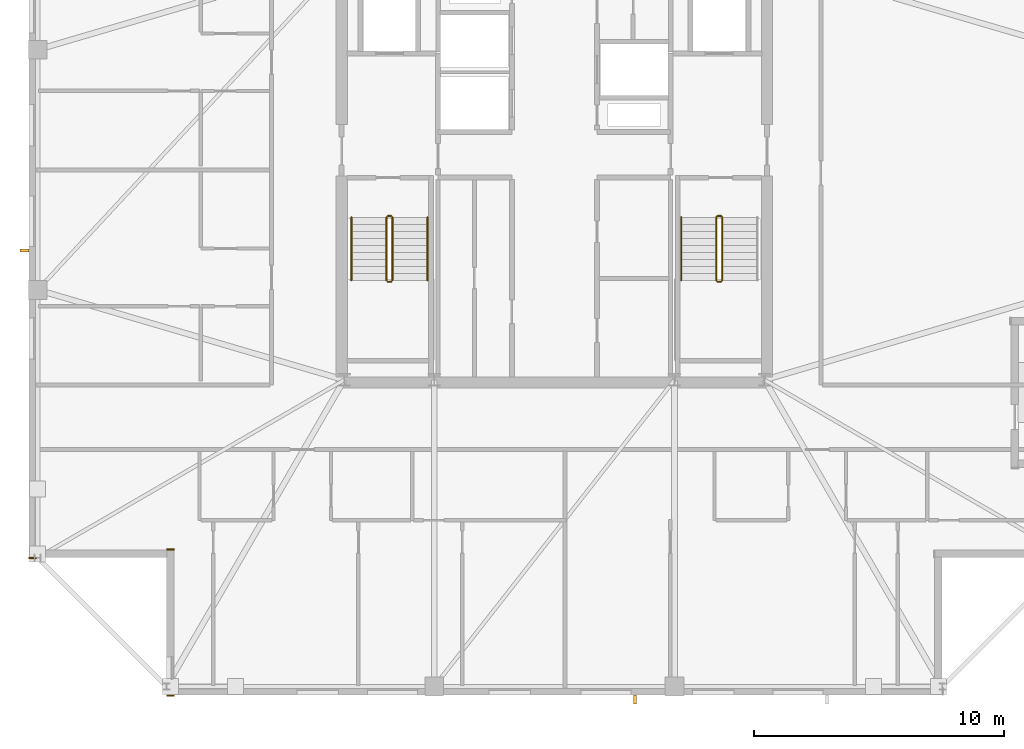
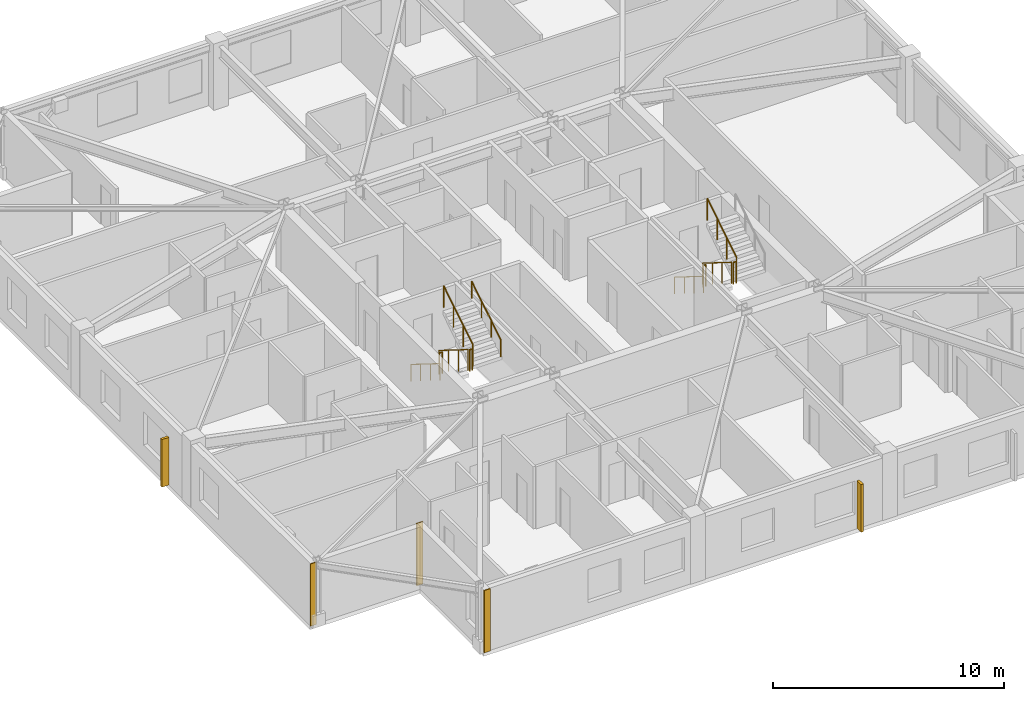
# One storey, part 12 of 14: 11 railings, 3 coverings, 2 shading devices.
"""IFC4 building model written with IfcOpenShell, lengths in metres."""

from ifc_helpers import new_model, si_unit, direction, frame, frame_2d, origin, origin_2d, place, context, subcontext, project, spatial, rectangle, circle, extrude, material, layer, layer_set, type_object, element, save


model = new_model("IFC4")

# Units and contexts
model_context = context("Model", 3, precision=1e-05, world=origin(), true_north=direction((0.0, 1.0)))
body_context = subcontext(model_context, "Body", "Model", "MODEL_VIEW")
ifc_project = project(units=[si_unit("LENGTHUNIT", "METRE"), si_unit("AREAUNIT", "SQUARE_METRE"), si_unit("VOLUMEUNIT", "CUBIC_METRE"), si_unit("PLANEANGLEUNIT", "RADIAN"), si_unit("MASSUNIT", "GRAM", prefix="KILO")], contexts=[model_context])

# Site, building, storey
site_placement = place(None, origin())
site = spatial("IfcSite", under=ifc_project, at=site_placement, CompositionType="ELEMENT")
building_placement = place(site_placement, origin())
building = spatial("IfcBuilding", under=site, at=building_placement, Name="Cairnveth Concourse Tower", CompositionType="ELEMENT")
storey_placement = place(building_placement, frame((0.0, 0.0, 294.5)))
storey = spatial("IfcBuildingStorey", under=building, at=storey_placement, Name="L81", CompositionType="ELEMENT", Elevation=294.5)

# Coverings
ifc_material_1 = material(Name="Dressed Melbourne Bluestone Cladding", Category="masonry")
ifc_layer = layer(ifc_material_1, 0.050048828125)
ifc_layer_set = layer_set([ifc_layer], Name="Dressed Melbourne Bluestone Cladding")
covering_type = type_object("IfcCoveringType", Name="DRESSED BLUESTONE PLINTH CLADDING 50", PredefinedType="CLADDING", material=ifc_layer_set)
for number, where, z_axis, x_axis, name in (
    (1, (36.800048828125, 17.97998046875, 0.0), (0.0, 0.0, 1.0), (-1.0, 0.0, 0.0), "Melbourne Bluestone Corner Quoin L81-1231"),
    (2, (36.800048828125, 23.820068359375, 0.0), (0.0, 0.0, 1.0), (-1.0, 0.0, 0.0), "Melbourne Bluestone Corner Quoin L81-1232"),
    (3, (31.300048828125, 23.47998046875, 0.0), (0.0, 0.0, 1.0), (-1.0, 0.0, 0.0), "Melbourne Bluestone Corner Quoin L81-1233"),
):
    element("IfcCovering", number, at=place(storey_placement, frame(where, z_axis=z_axis, x_axis=x_axis)), inside=storey, type_object=covering_type, Name=name, PredefinedType="CLADDING", context=body_context, shape_type="SweptSolid", body=[
        extrude(rectangle(XDim=0.300048828125, YDim=0.050048828125, at=frame_2d((0.14990234375, 0.0))), origin(), (0.0, 0.0, 1.0), 3.2900390625),
    ])

# Shading devices
ifc_material_2 = material(Name="Architectural Bronze Anodised Aluminium 6063-T6", Category="aluminium")
shading_device_type = type_object("IfcShadingDeviceType", Name="GOTHIC BRONZE VERTICAL LANCET FIN", PredefinedType="USERDEFINED", material=ifc_material_2)
for number, where, z_axis, x_axis, name in (
    (4, (55.217529296875, 17.824951171875, 0.030029296875), (0.0, 0.0, 1.0), (1.0, 0.0, 0.0), "Gothic Bronze Vertical Fin L81-3-3"),
    (5, (30.824951171875, 35.782470703125, 0.030029296875), (0.0, 0.0, 1.0), (0.0, 1.0, 0.0), "Gothic Bronze Vertical Fin L81-6-3"),
):
    element("IfcShadingDevice", number, at=place(storey_placement, frame(where, z_axis=z_axis, x_axis=x_axis)), inside=storey, type_object=shading_device_type, Name=name, ObjectType="VERTICAL FIN", PredefinedType="USERDEFINED", context=body_context, shape_type="SweptSolid", body=[
        extrude(rectangle(XDim=0.1201171875, YDim=0.360107421875, at=origin_2d()), origin(), (0.0, 0.0, 1.0), 2.51806640625),
    ])

# Railings
ifc_material_3 = material(Name="Steel Grade 350", Category="steel")
railing_type_1 = type_object("IfcRailingType", Name="STAIR GUARDRAIL 1150", PredefinedType="GUARDRAIL", material=ifc_material_3)
railing_1_placement = place(storey_placement, frame((45.2900390625, 37.10009765625, 0.175048828125)))
element("IfcRailing", 6, at=railing_1_placement, inside=storey, type_object=railing_type_1, Name="L81 ST-1 stair guard 1", PredefinedType="GUARDRAIL", context=body_context, shape_type="SweptSolid", body=[
    extrude(circle(Radius=0.02392578125, at=origin_2d()), frame((0.0, 0.0, 1.1259765625), z_axis=(0.0, -0.848007534815, 0.529984170421), x_axis=(1.0, 0.0, 0.0)), (0.0, 0.0, 1.0), 2.9716796875),
    extrude(circle(Radius=0.02099609375, at=origin_2d()), origin(), (0.0, 0.0, 1.0), 1.101806640625),
    extrude(circle(Radius=0.02099609375, at=origin_2d()), frame((0.0, -0.840087890625, 0.52490234375)), (0.0, 0.0, 1.0), 1.101806640625),
    extrude(circle(Radius=0.02099609375, at=origin_2d()), frame((0.0, -1.679931640625, 1.050048828125)), (0.0, 0.0, 1.0), 1.101806640625),
    extrude(circle(Radius=0.02099609375, at=origin_2d()), frame((0.0, -2.52001953125, 1.574951171875)), (0.0, 0.0, 1.0), 1.101806640625),
])
railing_2_placement = place(storey_placement, frame((45.340087890625, 34.530029296875, 1.75)))
element("IfcRailing", 7, at=railing_2_placement, inside=storey, type_object=railing_type_1, Name="L81 ST-1 stair guard 2", PredefinedType="GUARDRAIL", context=body_context, shape_type="SweptSolid", body=[
    extrude(circle(Radius=0.02392578125, at=origin_2d()), frame((0.0, 0.0, 1.1259765625), z_axis=(1.0, 0.0, 0.0), x_axis=(0.0, 1.0, 0.0)), (0.0, 0.0, 1.0), 0.139892578125),
    extrude(circle(Radius=0.02099609375, at=origin_2d()), origin(), (0.0, 0.0, 1.0), 1.101806640625),
    extrude(circle(Radius=0.02099609375, at=origin_2d()), frame((0.139892578125, 0.0, 0.0)), (0.0, 0.0, 1.0), 1.101806640625),
])
railing_3_placement = place(storey_placement, frame((45.530029296875, 34.580078125, 1.925048828125)))
element("IfcRailing", 8, at=railing_3_placement, inside=storey, type_object=railing_type_1, Name="L81 ST-1 stair guard 3", PredefinedType="GUARDRAIL", context=body_context, shape_type="SweptSolid", body=[
    extrude(circle(Radius=0.02392578125, at=origin_2d()), frame((0.0, 0.0, 1.1259765625), z_axis=(0.0, 0.848007534815, 0.529984170421), x_axis=(-1.0, 0.0, 0.0)), (0.0, 0.0, 1.0), 2.9716796875),
    extrude(circle(Radius=0.02099609375, at=origin_2d()), origin(), (0.0, 0.0, 1.0), 1.101806640625),
    extrude(circle(Radius=0.02099609375, at=origin_2d()), frame((0.0, 0.840087890625, 0.52490234375)), (0.0, 0.0, 1.0), 1.101806640625),
    extrude(circle(Radius=0.02099609375, at=origin_2d()), frame((0.0, 1.679931640625, 1.050048828125)), (0.0, 0.0, 1.0), 1.101806640625),
    extrude(circle(Radius=0.02099609375, at=origin_2d()), frame((0.0, 2.52001953125, 1.574951171875)), (0.0, 0.0, 1.0), 1.101806640625),
])
railing_4_placement = place(storey_placement, frame((45.340087890625, 37.14990234375, 0.0)))
element("IfcRailing", 9, at=railing_4_placement, inside=storey, type_object=railing_type_1, Name="L81 ST-1 stair guard 4", PredefinedType="GUARDRAIL", context=body_context, shape_type="SweptSolid", body=[
    extrude(circle(Radius=0.02392578125, at=origin_2d()), frame((0.0, 0.0, 1.1259765625), z_axis=(1.0, 0.0, 0.0), x_axis=(0.0, 1.0, 0.0)), (0.0, 0.0, 1.0), 0.139892578125),
    extrude(circle(Radius=0.02099609375, at=origin_2d()), origin(), (0.0, 0.0, 1.0), 1.101806640625),
    extrude(circle(Radius=0.02099609375, at=origin_2d()), frame((0.139892578125, 0.0, 0.0)), (0.0, 0.0, 1.0), 1.101806640625),
])
railing_5_placement = place(storey_placement, frame((58.469970703125, 37.10009765625, 0.175048828125)))
element("IfcRailing", 10, at=railing_5_placement, inside=storey, type_object=railing_type_1, Name="L81 ST-2 stair guard 1", PredefinedType="GUARDRAIL", context=body_context, shape_type="SweptSolid", body=[
    extrude(circle(Radius=0.02392578125, at=origin_2d()), frame((0.0, 0.0, 1.1259765625), z_axis=(0.0, -0.848007534815, 0.529984170421), x_axis=(1.0, 0.0, 0.0)), (0.0, 0.0, 1.0), 2.9716796875),
    extrude(circle(Radius=0.02099609375, at=origin_2d()), origin(), (0.0, 0.0, 1.0), 1.101806640625),
    extrude(circle(Radius=0.02099609375, at=origin_2d()), frame((0.0, -0.840087890625, 0.52490234375)), (0.0, 0.0, 1.0), 1.101806640625),
    extrude(circle(Radius=0.02099609375, at=origin_2d()), frame((0.0, -1.679931640625, 1.050048828125)), (0.0, 0.0, 1.0), 1.101806640625),
    extrude(circle(Radius=0.02099609375, at=origin_2d()), frame((0.0, -2.52001953125, 1.574951171875)), (0.0, 0.0, 1.0), 1.101806640625),
])
railing_6_placement = place(storey_placement, frame((58.52001953125, 34.530029296875, 1.75)))
element("IfcRailing", 11, at=railing_6_placement, inside=storey, type_object=railing_type_1, Name="L81 ST-2 stair guard 2", PredefinedType="GUARDRAIL", context=body_context, shape_type="SweptSolid", body=[
    extrude(circle(Radius=0.02392578125, at=origin_2d()), frame((0.0, 0.0, 1.1259765625), z_axis=(1.0, 0.0, 0.0), x_axis=(0.0, 1.0, 0.0)), (0.0, 0.0, 1.0), 0.139892578125),
    extrude(circle(Radius=0.02099609375, at=origin_2d()), origin(), (0.0, 0.0, 1.0), 1.101806640625),
    extrude(circle(Radius=0.02099609375, at=origin_2d()), frame((0.139892578125, 0.0, 0.0)), (0.0, 0.0, 1.0), 1.101806640625),
])
railing_7_placement = place(storey_placement, frame((58.7099609375, 34.580078125, 1.925048828125)))
element("IfcRailing", 12, at=railing_7_placement, inside=storey, type_object=railing_type_1, Name="L81 ST-2 stair guard 3", PredefinedType="GUARDRAIL", context=body_context, shape_type="SweptSolid", body=[
    extrude(circle(Radius=0.02392578125, at=origin_2d()), frame((0.0, 0.0, 1.1259765625), z_axis=(0.0, 0.848007534815, 0.529984170421), x_axis=(-1.0, 0.0, 0.0)), (0.0, 0.0, 1.0), 2.9716796875),
    extrude(circle(Radius=0.02099609375, at=origin_2d()), origin(), (0.0, 0.0, 1.0), 1.101806640625),
    extrude(circle(Radius=0.02099609375, at=origin_2d()), frame((0.0, 0.840087890625, 0.52490234375)), (0.0, 0.0, 1.0), 1.101806640625),
    extrude(circle(Radius=0.02099609375, at=origin_2d()), frame((0.0, 1.679931640625, 1.050048828125)), (0.0, 0.0, 1.0), 1.101806640625),
    extrude(circle(Radius=0.02099609375, at=origin_2d()), frame((0.0, 2.52001953125, 1.574951171875)), (0.0, 0.0, 1.0), 1.101806640625),
])
railing_8_placement = place(storey_placement, frame((58.52001953125, 37.14990234375, 0.0)))
element("IfcRailing", 13, at=railing_8_placement, inside=storey, type_object=railing_type_1, Name="L81 ST-2 stair guard 4", PredefinedType="GUARDRAIL", context=body_context, shape_type="SweptSolid", body=[
    extrude(circle(Radius=0.02392578125, at=origin_2d()), frame((0.0, 0.0, 1.1259765625), z_axis=(1.0, 0.0, 0.0), x_axis=(0.0, 1.0, 0.0)), (0.0, 0.0, 1.0), 0.139892578125),
    extrude(circle(Radius=0.02099609375, at=origin_2d()), origin(), (0.0, 0.0, 1.0), 1.101806640625),
    extrude(circle(Radius=0.02099609375, at=origin_2d()), frame((0.139892578125, 0.0, 0.0)), (0.0, 0.0, 1.0), 1.101806640625),
])
railing_type_2 = type_object("IfcRailingType", Name="STAIR WALL HANDRAIL 900", PredefinedType="HANDRAIL", material=ifc_material_3)
railing_9_placement = place(storey_placement, frame((43.889892578125, 37.10009765625, 0.175048828125)))
element("IfcRailing", 14, at=railing_9_placement, inside=storey, type_object=railing_type_2, Name="L81 ST-1 stair handrail 1", PredefinedType="HANDRAIL", context=body_context, shape_type="SweptSolid", body=[
    extrude(circle(Radius=0.02392578125, at=origin_2d()), frame((0.0, 0.0, 0.8759765625), z_axis=(0.0, -0.848007534815, 0.529984170421), x_axis=(1.0, 0.0, 0.0)), (0.0, 0.0, 1.0), 2.9716796875),
    extrude(circle(Radius=0.02099609375, at=origin_2d()), origin(), (0.0, 0.0, 1.0), 0.851806640625),
    extrude(circle(Radius=0.02099609375, at=origin_2d()), frame((0.0, -0.840087890625, 0.52490234375)), (0.0, 0.0, 1.0), 0.851806640625),
    extrude(circle(Radius=0.02099609375, at=origin_2d()), frame((0.0, -1.679931640625, 1.050048828125)), (0.0, 0.0, 1.0), 0.851806640625),
    extrude(circle(Radius=0.02099609375, at=origin_2d()), frame((0.0, -2.52001953125, 1.574951171875)), (0.0, 0.0, 1.0), 0.851806640625),
])
railing_10_placement = place(storey_placement, frame((46.929931640625, 34.580078125, 1.925048828125)))
element("IfcRailing", 15, at=railing_10_placement, inside=storey, type_object=railing_type_2, Name="L81 ST-1 stair handrail 2", PredefinedType="HANDRAIL", context=body_context, shape_type="SweptSolid", body=[
    extrude(circle(Radius=0.02392578125, at=origin_2d()), frame((0.0, 0.0, 0.8759765625), z_axis=(0.0, 0.848007534815, 0.529984170421), x_axis=(-1.0, 0.0, 0.0)), (0.0, 0.0, 1.0), 2.9716796875),
    extrude(circle(Radius=0.02099609375, at=origin_2d()), origin(), (0.0, 0.0, 1.0), 0.851806640625),
    extrude(circle(Radius=0.02099609375, at=origin_2d()), frame((0.0, 0.840087890625, 0.52490234375)), (0.0, 0.0, 1.0), 0.851806640625),
    extrude(circle(Radius=0.02099609375, at=origin_2d()), frame((0.0, 1.679931640625, 1.050048828125)), (0.0, 0.0, 1.0), 0.851806640625),
    extrude(circle(Radius=0.02099609375, at=origin_2d()), frame((0.0, 2.52001953125, 1.574951171875)), (0.0, 0.0, 1.0), 0.851806640625),
])
railing_11_placement = place(storey_placement, frame((57.070068359375, 37.10009765625, 0.175048828125)))
element("IfcRailing", 16, at=railing_11_placement, inside=storey, type_object=railing_type_2, Name="L81 ST-2 stair handrail 1", PredefinedType="HANDRAIL", context=body_context, shape_type="SweptSolid", body=[
    extrude(circle(Radius=0.02392578125, at=origin_2d()), frame((0.0, 0.0, 0.8759765625), z_axis=(0.0, -0.848007534815, 0.529984170421), x_axis=(1.0, 0.0, 0.0)), (0.0, 0.0, 1.0), 2.9716796875),
    extrude(circle(Radius=0.02099609375, at=origin_2d()), origin(), (0.0, 0.0, 1.0), 0.851806640625),
    extrude(circle(Radius=0.02099609375, at=origin_2d()), frame((0.0, -0.840087890625, 0.52490234375)), (0.0, 0.0, 1.0), 0.851806640625),
    extrude(circle(Radius=0.02099609375, at=origin_2d()), frame((0.0, -1.679931640625, 1.050048828125)), (0.0, 0.0, 1.0), 0.851806640625),
    extrude(circle(Radius=0.02099609375, at=origin_2d()), frame((0.0, -2.52001953125, 1.574951171875)), (0.0, 0.0, 1.0), 0.851806640625),
])

save(model, "model.ifc")
